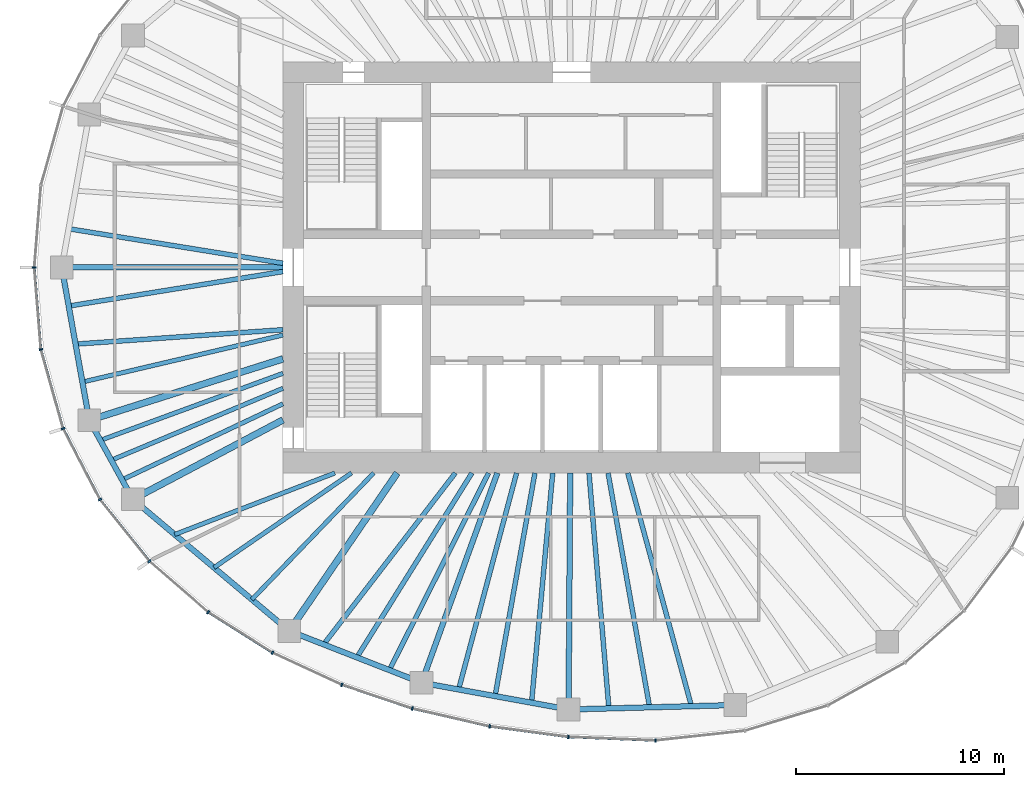
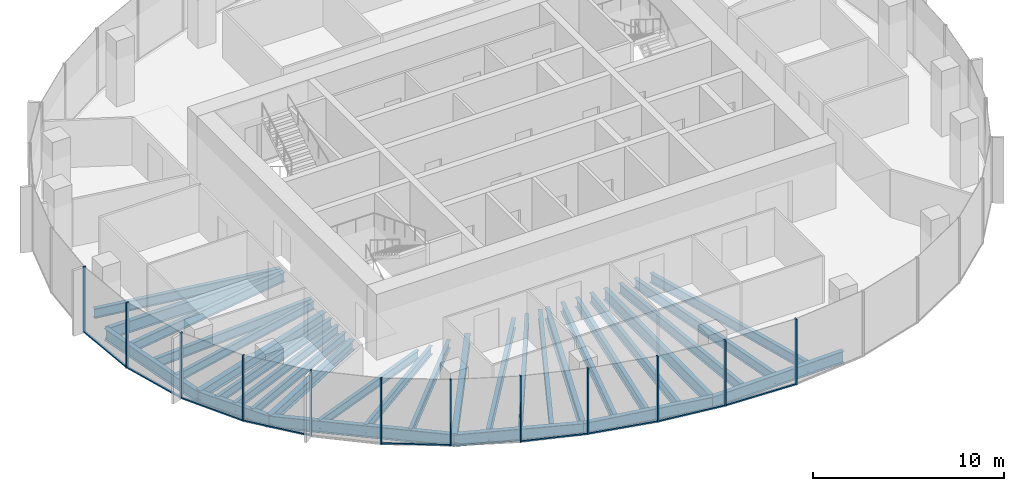
# One storey, part 2 of 11: 31 beams, 21 members, 6 elements without a shape of their own.
"""IFC4 building model written with IfcOpenShell, lengths in metres."""

import ifcopenshell
import ifcopenshell.guid

model = None  # the IFC model being written
_history = None  # IfcOwnerHistory: only IFC2X3 demands one
_inside = {}  # id of a spatial element -> (the spatial element, [elements in it])
_under = {}  # id of a project, library or spatial element -> (it, [spatial elements below it])
_declared = {}  # id of a project -> (the project, [libraries it declares])
_typed = {}  # id of a type object -> (the type object, [elements of that type])
_made_of = {}  # id of a material, layer set ... -> (it, [elements and type objects made of it])


def new_model(schema):
    """Start an empty IFC model of exactly this schema.

    Asked for "IFC4X3", IfcOpenShell would pick the latest addendum, in which some entities
    have other attributes; the version numbers below select the first issue.
    IFC2X3 requires an IfcOwnerHistory on every rooted entity: one is made here for all.
    """
    global model, _history
    if schema == "IFC4X3":
        model = ifcopenshell.file(schema_version=(4, 3, 0, 0))
    else:
        model = ifcopenshell.file(schema=schema)
    _inside.clear()
    _under.clear()
    _declared.clear()
    _typed.clear()
    _made_of.clear()
    _history = None
    if model.schema == "IFC2X3":
        org = make("IfcOrganization", Name="unknown")
        user = make(
            "IfcPersonAndOrganization",
            ThePerson=make("IfcPerson", FamilyName="unknown"),
            TheOrganization=org,
        )
        app = make(
            "IfcApplication",
            ApplicationDeveloper=org,
            Version="unknown",
            ApplicationFullName="unknown",
            ApplicationIdentifier="unknown",
        )
        _history = make(
            "IfcOwnerHistory",
            OwningUser=user,
            OwningApplication=app,
            ChangeAction="ADDED",
            CreationDate=0,
        )
    return model


def make(cls, **values):
    """One entity of the class cls with the attributes given. An attribute that is None is left unset."""
    return model.create_entity(
        cls, **{name: value for name, value in values.items() if value is not None}
    )


def rooted(cls, **values):
    """An entity with a GlobalId (a new one), such as an element, a storey or a relation."""
    return make(cls, GlobalId=ifcopenshell.guid.new(), OwnerHistory=_history, **values)


def si_unit(unit_type, name, prefix=None):
    """IfcSIUnit, for example si_unit("LENGTHUNIT", "METRE", prefix="MILLI")."""
    return make("IfcSIUnit", UnitType=unit_type, Prefix=prefix, Name=name)


def assignment(units):
    """IfcUnitAssignment: the units of a project."""
    return None if units is None else make("IfcUnitAssignment", Units=units)


def point(xyz):
    """IfcCartesianPoint."""
    return None if xyz is None else make("IfcCartesianPoint", Coordinates=xyz)


def direction(xyz):
    """IfcDirection."""
    return None if xyz is None else make("IfcDirection", DirectionRatios=xyz)


def frame(location, z_axis=None, x_axis=None):
    """IfcAxis2Placement3D, a coordinate frame: its origin and axes. An axis left out is left unset."""
    return make(
        "IfcAxis2Placement3D",
        Location=point(location),
        Axis=direction(z_axis),
        RefDirection=direction(x_axis),
    )


def frame_2d(location, x_axis=None):
    """IfcAxis2Placement2D, a coordinate frame in the plane: its origin and x axis."""
    return make(
        "IfcAxis2Placement2D", Location=point(location), RefDirection=direction(x_axis)
    )


def origin():
    """The frame at (0, 0, 0) with its axes left unset."""
    return frame((0.0, 0.0, 0.0))


def origin_2d():
    """The frame at (0, 0) in the plane with its x axis left unset."""
    return frame_2d((0.0, 0.0))


def place(relative_to, where):
    """IfcLocalPlacement: puts the frame where relative to a parent placement (None: the world)."""
    return make(
        "IfcLocalPlacement", PlacementRelTo=relative_to, RelativePlacement=where
    )


def context(
    kind, dimensions, precision=None, world=None, true_north=None, identifier=None
):
    """IfcGeometricRepresentationContext, for example the 3D "Model" context."""
    return make(
        "IfcGeometricRepresentationContext",
        ContextIdentifier=identifier,
        ContextType=kind,
        CoordinateSpaceDimension=dimensions,
        Precision=precision,
        WorldCoordinateSystem=world,
        TrueNorth=true_north,
    )


def subcontext(parent, identifier, kind, view, scale=None):
    """IfcGeometricRepresentationSubContext, for example "Body" below "Model"."""
    return make(
        "IfcGeometricRepresentationSubContext",
        ContextIdentifier=identifier,
        ContextType=kind,
        ParentContext=parent,
        TargetScale=scale,
        TargetView=view,
    )


def project(units=None, contexts=None):
    """IfcProject with its units and contexts."""
    return rooted(
        "IfcProject",
        Name="project",
        RepresentationContexts=contexts,
        UnitsInContext=assignment(units),
    )


def spatial(cls, under=None, at=None, **own):
    """A site, building, storey or space (cls), placed at a placement, below another one or the project."""
    s = rooted(cls, ObjectPlacement=at, **own)
    if under is not None:
        _under.setdefault(under.id(), (under, []))[1].append(s)
    return s


def profile(cls, at=None, kind="AREA", **sizes):
    """A parametric profile (cls). Its sizes go by their IFC names, for example OverallWidth=200.0."""
    return make(cls, ProfileType=kind, Position=at, **sizes)


def rectangle(**sizes):
    """IfcRectangleProfileDef."""
    return profile("IfcRectangleProfileDef", **sizes)


def i_section(**sizes):
    """IfcIShapeProfileDef."""
    return profile("IfcIShapeProfileDef", **sizes)


def extrude(swept, where, along, depth):
    """IfcExtrudedAreaSolid: the profile swept, set in the frame where, extruded along a direction by depth."""
    return make(
        "IfcExtrudedAreaSolid",
        SweptArea=swept,
        Position=where,
        ExtrudedDirection=direction(along),
        Depth=depth,
    )


def shape(context_of_items, identifier, shape_type, items):
    """IfcShapeRepresentation: the items that make up one representation, for example the "Body"."""
    return make(
        "IfcShapeRepresentation",
        ContextOfItems=context_of_items,
        RepresentationIdentifier=identifier,
        RepresentationType=shape_type,
        Items=items,
    )


def material(Name=None, Category=None):
    """IfcMaterial."""
    return make("IfcMaterial", Name=Name, Category=Category)


def material_profile(
    of_material, cross_section, Name=None, Category=None, Priority=None
):
    """IfcMaterialProfile: a cross section and its material."""
    return make(
        "IfcMaterialProfile",
        Name=Name,
        Material=of_material,
        Profile=cross_section,
        Priority=Priority,
        Category=Category,
    )


def profile_set(profiles, Name=None, composite=None):
    """IfcMaterialProfileSet."""
    return make(
        "IfcMaterialProfileSet",
        Name=Name,
        MaterialProfiles=profiles,
        CompositeProfile=composite,
    )


def made_of(thing, what):
    """Note that an element or type object is made of a material, layer set ...; save() writes the relation."""
    if what is not None:
        _made_of.setdefault(what.id(), (what, []))[1].append(thing)
    return thing


def type_object(cls, material=None, **own):
    """A type object (cls), such as IfcWallType, which elements share."""
    return made_of(rooted(cls, **own), material)


def element(
    cls,
    number,
    at=None,
    inside=None,
    cuts=None,
    type_object=None,
    material=None,
    context=None,
    identifier="Body",
    shape_type=None,
    held_by="IfcProductDefinitionShape",
    body=None,
    shapes=None,
    **own,
):
    """One element of the class cls, such as IfcWall. Its Tag is "e" and its number.

    at: its placement. inside: the storey or other place that contains it. cuts: it is an
    opening in that element (IfcRelVoidsElement). A single representation is given by context,
    identifier, shape_type and body (its items); several are given by shapes. held_by: the class
    of the entity that holds the representations. save() writes the other relations.
    """
    e = rooted(cls, Tag="e%d" % number, ObjectPlacement=at, **own)
    if body is not None:
        shapes = [shape(context, identifier, shape_type, body)]
    if shapes is not None:
        e.Representation = make(held_by, Representations=shapes)
    if inside is not None:
        _inside.setdefault(inside.id(), (inside, []))[1].append(e)
    if cuts is not None:
        rooted(
            "IfcRelVoidsElement", RelatingBuildingElement=cuts, RelatedOpeningElement=e
        )
    if type_object is not None:
        _typed.setdefault(type_object.id(), (type_object, []))[1].append(e)
    return made_of(e, material)


def aggregate(whole, parts):
    """IfcRelAggregates: a whole, such as a stair, and the parts it consists of."""
    return rooted("IfcRelAggregates", RelatingObject=whole, RelatedObjects=parts)


def save(model, path):
    """Write the relations noted so far, then the file.

    IfcRelAggregates (storeys below a building ...), IfcRelContainedInSpatialStructure (elements
    in a storey), IfcRelDefinesByType, IfcRelAssociatesMaterial and IfcRelDeclares: one each for
    every whole, place, type object, material and project.
    """
    for whole, parts in _under.values():
        aggregate(whole, parts)
    for where, things in _inside.values():
        rooted(
            "IfcRelContainedInSpatialStructure",
            RelatedElements=things,
            RelatingStructure=where,
        )
    for kind, things in _typed.values():
        rooted("IfcRelDefinesByType", RelatedObjects=things, RelatingType=kind)
    for what, things in _made_of.values():
        rooted("IfcRelAssociatesMaterial", RelatedObjects=things, RelatingMaterial=what)
    for by, libraries in _declared.values():
        rooted("IfcRelDeclares", RelatingContext=by, RelatedDefinitions=libraries)
    model.write(path)


model = new_model("IFC4")

# Units and contexts
model_context = context("Model", 3, precision=1e-05, world=origin(), true_north=direction((0.0, 1.0)))
body_context = subcontext(model_context, "Body", "Model", "MODEL_VIEW")
ifc_project = project(units=[si_unit("LENGTHUNIT", "METRE"), si_unit("AREAUNIT", "SQUARE_METRE"), si_unit("VOLUMEUNIT", "CUBIC_METRE"), si_unit("PLANEANGLEUNIT", "RADIAN"), si_unit("MASSUNIT", "GRAM", prefix="KILO")], contexts=[model_context])

# Site, building, storey
site_placement = place(None, origin())
site = spatial("IfcSite", under=ifc_project, at=site_placement, CompositionType="ELEMENT")
building_placement = place(site_placement, origin())
building = spatial("IfcBuilding", under=site, at=building_placement, Name="Ghaith Harvest Tower", CompositionType="ELEMENT")
storey_placement = place(building_placement, frame((0.0, 0.0, 292.199951171875)))
storey = spatial("IfcBuildingStorey", under=building, at=storey_placement, Name="L65", CompositionType="ELEMENT", Elevation=292.199951171875)

# Curtain wall, members
ifc_material_1 = material(Name="Black anodised aluminium and fritted glass", Category="aluminium")
curtain_wall_type = type_object("IfcCurtainWallType", Name="CW-T CURTAIN WALL", PredefinedType="NOTDEFINED", material=ifc_material_1)
curtain_wall_1_placement = place(storey_placement, origin())
curtain_wall_1 = element("IfcCurtainWall", 1, at=curtain_wall_1_placement, inside=storey, type_object=curtain_wall_type, Name="Curtain wall CW-T bay 11 L65", PredefinedType="NOTDEFINED")
ifc_material_2 = material(Name="Aluminium, black anodised", Category="aluminium")
ifc_material_profile_1 = material_profile(ifc_material_2, rectangle(XDim=0.080078125, YDim=0.179931640625, at=origin_2d()), Name="CW-T MULLION 80x180")
ifc_profile_set_1 = profile_set([ifc_material_profile_1], Name="Aluminium, black anodised")
member_type_1 = type_object("IfcMemberType", Name="CW-T MULLION 80x180", PredefinedType="MULLION", material=ifc_profile_set_1)
member_1_placement = place(storey_placement, frame((-25.8701171875, 0.0, 0.0), z_axis=(0.0, 0.0, 1.0), x_axis=(-1.05e-10, -1.0, 0.0)))
member_1 = element("IfcMember", 2, at=member_1_placement, type_object=member_type_1, Name="CW-T mullion 1 bay 11 L65", PredefinedType="MULLION", context=body_context, shape_type="SweptSolid", body=[
    extrude(rectangle(XDim=0.080078125, YDim=0.179931640625, at=origin_2d()), origin(), (0.0, 0.0, 1.0), 4.199951171875),
])
member_2_placement = place(storey_placement, frame((-25.5517578125, -3.9521484375, 0.0), z_axis=(0.0, 0.0, 1.0), x_axis=(0.176001391003, -0.98438991785, 0.0)))
member_2 = element("IfcMember", 3, at=member_2_placement, type_object=member_type_1, Name="CW-T mullion 2 bay 11 L65", PredefinedType="MULLION", context=body_context, shape_type="SweptSolid", body=[
    extrude(rectangle(XDim=0.080078125, YDim=0.179931640625, at=origin_2d()), origin(), (0.0, 0.0, 1.0), 4.199951171875),
])

curtain_wall_2_placement = place(storey_placement, origin())
curtain_wall_2 = element("IfcCurtainWall", 4, at=curtain_wall_2_placement, inside=storey, type_object=curtain_wall_type, Name="Curtain wall CW-T bay 12 L65", PredefinedType="NOTDEFINED")
member_3_placement = place(storey_placement, frame((-24.482666015625, -7.759033203125, 0.0), z_axis=(0.0, 0.0, 1.0), x_axis=(0.366473104734, -0.930428645038, 0.0)))
member_3 = element("IfcMember", 5, at=member_3_placement, type_object=member_type_1, Name="CW-T mullion 1 bay 12 L65", PredefinedType="MULLION", context=body_context, shape_type="SweptSolid", body=[
    extrude(rectangle(XDim=0.080078125, YDim=0.179931640625, at=origin_2d()), origin(), (0.0, 0.0, 1.0), 4.199951171875),
])
member_4_placement = place(storey_placement, frame((-22.706298828125, -11.176513671875, 0.0), z_axis=(0.0, 0.0, 1.0), x_axis=(0.545865412431, -0.837872873121, 0.0)))
member_4 = element("IfcMember", 6, at=member_4_placement, type_object=member_type_1, Name="CW-T mullion 2 bay 12 L65", PredefinedType="MULLION", context=body_context, shape_type="SweptSolid", body=[
    extrude(rectangle(XDim=0.080078125, YDim=0.179931640625, at=origin_2d()), origin(), (0.0, 0.0, 1.0), 4.199951171875),
])

curtain_wall_3_placement = place(storey_placement, origin())
curtain_wall_3 = element("IfcCurtainWall", 7, at=curtain_wall_3_placement, inside=storey, type_object=curtain_wall_type, Name="Curtain wall CW-T bay 13 L65", PredefinedType="NOTDEFINED")
member_5_placement = place(storey_placement, frame((-20.324462890625, -14.141845703125, 0.0), z_axis=(0.0, 0.0, 1.0), x_axis=(0.692826491831, -0.721104328248, 0.0)))
member_5 = element("IfcMember", 8, at=member_5_placement, type_object=member_type_1, Name="CW-T mullion 1 bay 13 L65", PredefinedType="MULLION", context=body_context, shape_type="SweptSolid", body=[
    extrude(rectangle(XDim=0.080078125, YDim=0.179931640625, at=origin_2d()), origin(), (0.0, 0.0, 1.0), 4.199951171875),
])
member_6_placement = place(storey_placement, frame((-17.49462890625, -16.600830078125, 0.0), z_axis=(0.0, 0.0, 1.0), x_axis=(0.802189888845, -0.59706899286, 0.0)))
member_6 = element("IfcMember", 9, at=member_6_placement, type_object=member_type_1, Name="CW-T mullion 2 bay 13 L65", PredefinedType="MULLION", context=body_context, shape_type="SweptSolid", body=[
    extrude(rectangle(XDim=0.080078125, YDim=0.179931640625, at=origin_2d()), origin(), (0.0, 0.0, 1.0), 4.199951171875),
])

curtain_wall_4_placement = place(storey_placement, origin())
curtain_wall_4 = element("IfcCurtainWall", 10, at=curtain_wall_4_placement, inside=storey, type_object=curtain_wall_type, Name="Curtain wall CW-T bay 14 L65", PredefinedType="NOTDEFINED")
member_7_placement = place(storey_placement, frame((-14.40478515625, -18.5478515625, 0.0), z_axis=(0.0, 0.0, 1.0), x_axis=(0.878671732732, -0.477426419564, 0.0)))
member_7 = element("IfcMember", 11, at=member_7_placement, type_object=member_type_1, Name="CW-T mullion 1 bay 14 L65", PredefinedType="MULLION", context=body_context, shape_type="SweptSolid", body=[
    extrude(rectangle(XDim=0.080078125, YDim=0.179931640625, at=origin_2d()), origin(), (0.0, 0.0, 1.0), 4.199951171875),
])
member_8_placement = place(storey_placement, frame((-11.0673828125, -20.093017578125, 0.0), z_axis=(0.0, 0.0, 1.0), x_axis=(0.92862442092, -0.371021138038, 0.0)))
member_8 = element("IfcMember", 12, at=member_8_placement, type_object=member_type_1, Name="CW-T mullion 2 bay 14 L65", PredefinedType="MULLION", context=body_context, shape_type="SweptSolid", body=[
    extrude(rectangle(XDim=0.080078125, YDim=0.179931640625, at=origin_2d()), origin(), (0.0, 0.0, 1.0), 4.199951171875),
])

curtain_wall_5_placement = place(storey_placement, origin())
curtain_wall_5 = element("IfcCurtainWall", 13, at=curtain_wall_5_placement, inside=storey, type_object=curtain_wall_type, Name="Curtain wall CW-T bay 15 L65", PredefinedType="NOTDEFINED")
member_9_placement = place(storey_placement, frame((-7.6708984375, -21.23828125, 0.0), z_axis=(0.0, 0.0, 1.0), x_axis=(0.962552491659, -0.271095372151, 0.0)))
member_9 = element("IfcMember", 14, at=member_9_placement, type_object=member_type_1, Name="CW-T mullion 1 bay 15 L65", PredefinedType="MULLION", context=body_context, shape_type="SweptSolid", body=[
    extrude(rectangle(XDim=0.080078125, YDim=0.179931640625, at=origin_2d()), origin(), (0.0, 0.0, 1.0), 4.199951171875),
])
member_10_placement = place(storey_placement, frame((-3.946533203125, -22.0986328125, 0.0), z_axis=(0.0, 0.0, 1.0), x_axis=(0.983843447712, -0.179030920217, 0.0)))
member_10 = element("IfcMember", 15, at=member_10_placement, type_object=member_type_1, Name="CW-T mullion 2 bay 15 L65", PredefinedType="MULLION", context=body_context, shape_type="SweptSolid", body=[
    extrude(rectangle(XDim=0.080078125, YDim=0.179931640625, at=origin_2d()), origin(), (0.0, 0.0, 1.0), 4.199951171875),
])

curtain_wall_6_placement = place(storey_placement, origin())
curtain_wall_6 = element("IfcCurtainWall", 16, at=curtain_wall_6_placement, inside=storey, type_object=curtain_wall_type, Name="Curtain wall CW-T bay 16 L65", PredefinedType="NOTDEFINED")
member_11_placement = place(storey_placement, frame((-0.15478515625, -22.60595703125, 0.0), z_axis=(0.0, 0.0, 1.0), x_axis=(0.996414855524, -0.084601629366, 0.0)))
member_11 = element("IfcMember", 17, at=member_11_placement, type_object=member_type_1, Name="CW-T mullion 1 bay 16 L65", PredefinedType="MULLION", context=body_context, shape_type="SweptSolid", body=[
    extrude(rectangle(XDim=0.080078125, YDim=0.179931640625, at=origin_2d()), origin(), (0.0, 0.0, 1.0), 4.199951171875),
])
member_12_placement = place(storey_placement, frame((4.037841796875, -22.776611328125, 0.0), z_axis=(0.0, 0.0, 1.0), x_axis=(0.999388631241, 0.034962318939, 0.0)))
member_12 = element("IfcMember", 18, at=member_12_placement, type_object=member_type_1, Name="CW-T mullion 2 bay 16 L65", PredefinedType="MULLION", context=body_context, shape_type="SweptSolid", body=[
    extrude(rectangle(XDim=0.080078125, YDim=0.179931640625, at=origin_2d()), origin(), (0.0, 0.0, 1.0), 4.199951171875),
])

# Member
ifc_material_3 = material(Name="Aluminium, black anodised", Category="aluminium")
ifc_material_profile_2 = material_profile(ifc_material_3, rectangle(XDim=0.1201171875, YDim=0.080078125, at=origin_2d()), Name="CW-T TRANSOM 120x80")
ifc_profile_set_2 = profile_set([ifc_material_profile_2], Name="Aluminium, black anodised")
member_type_2 = type_object("IfcMemberType", Name="CW-T TRANSOM 120x80", PredefinedType="USERDEFINED", material=ifc_profile_set_2)
member_13_placement = place(storey_placement, frame((-25.86669921875, -0.039794921875, 0.0400390625), z_axis=(0.08025226314, -0.996774585481, 0.0), x_axis=(0.996774585481, 0.08025226314, 0.0)))
member_13 = element("IfcMember", 19, at=member_13_placement, type_object=member_type_2, Name="CW-T transom 1 bay 11 L65", ObjectType="TRANSOM", PredefinedType="USERDEFINED", context=body_context, shape_type="SweptSolid", body=[
    extrude(rectangle(XDim=0.1201171875, YDim=0.080078125, at=origin_2d()), origin(), (0.0, 0.0, 1.0), 3.884765625),
])

member_14_placement = place(storey_placement, frame((-25.541015625, -3.990478515625, 0.0400390625), z_axis=(0.270340422972, -0.962764797709, 0.0), x_axis=(0.962764797709, 0.270340422972, 0.0)))
member_14 = element("IfcMember", 20, at=member_14_placement, type_object=member_type_2, Name="CW-T transom 2 bay 11 L65", ObjectType="TRANSOM", PredefinedType="USERDEFINED", context=body_context, shape_type="SweptSolid", body=[
    extrude(rectangle(XDim=0.1201171875, YDim=0.080078125, at=origin_2d()), origin(), (0.0, 0.0, 1.0), 3.874267578125),
])

aggregate(curtain_wall_1, [member_1, member_13, member_2, member_14])

member_15_placement = place(storey_placement, frame((-24.46435546875, -7.79443359375, 0.0400390625), z_axis=(0.461242681347, -0.887274021317, 0.0), x_axis=(0.887274021317, 0.461242681347, 0.0)))
member_15 = element("IfcMember", 21, at=member_15_placement, type_object=member_type_2, Name="CW-T transom 1 bay 12 L65", ObjectType="TRANSOM", PredefinedType="USERDEFINED", context=body_context, shape_type="SweptSolid", body=[
    extrude(rectangle(XDim=0.1201171875, YDim=0.080078125, at=origin_2d()), origin(), (0.0, 0.0, 1.0), 3.77197265625),
])

member_16_placement = place(storey_placement, frame((-22.68115234375, -11.207763671875, 0.0400390625), z_axis=(0.626253073761, -0.779619835307, 0.0), x_axis=(0.779619835307, 0.626253073761, 0.0)))
member_16 = element("IfcMember", 22, at=member_16_placement, type_object=member_type_2, Name="CW-T transom 2 bay 12 L65", ObjectType="TRANSOM", PredefinedType="USERDEFINED", context=body_context, shape_type="SweptSolid", body=[
    extrude(rectangle(XDim=0.1201171875, YDim=0.080078125, at=origin_2d()), origin(), (0.0, 0.0, 1.0), 3.723388671875),
])

aggregate(curtain_wall_2, [member_3, member_15, member_4, member_16])

member_17_placement = place(storey_placement, frame((-17.4609375, -16.6220703125, 0.0400390625), z_axis=(0.846053602505, -0.533097835006, 0.0), x_axis=(0.533097835006, 0.846053602505, 0.0)))
member_17 = element("IfcMember", 23, at=member_17_placement, type_object=member_type_2, Name="CW-T transom 2 bay 13 L65", ObjectType="TRANSOM", PredefinedType="USERDEFINED", context=body_context, shape_type="SweptSolid", body=[
    extrude(rectangle(XDim=0.1201171875, YDim=0.080078125, at=origin_2d()), origin(), (0.0, 0.0, 1.0), 3.572021484375),
])

aggregate(curtain_wall_3, [member_5, member_6, member_17])

member_18_placement = place(storey_placement, frame((-11.029541015625, -20.105712890625, 0.0400390625), z_axis=(0.9475698206, -0.319548799228, 0.0), x_axis=(0.319548799228, 0.9475698206, 0.0)))
member_18 = element("IfcMember", 24, at=member_18_placement, type_object=member_type_2, Name="CW-T transom 2 bay 14 L65", ObjectType="TRANSOM", PredefinedType="USERDEFINED", context=body_context, shape_type="SweptSolid", body=[
    extrude(rectangle(XDim=0.1201171875, YDim=0.080078125, at=origin_2d()), origin(), (0.0, 0.0, 1.0), 3.504638671875),
])

aggregate(curtain_wall_4, [member_7, member_8, member_18])

member_19_placement = place(storey_placement, frame((-7.6318359375, -21.247314453125, 0.0400390625), z_axis=(0.974344997799, -0.225059603803, 0.0), x_axis=(0.225059603803, 0.974344997799, 0.0)))
member_19 = element("IfcMember", 25, at=member_19_placement, type_object=member_type_2, Name="CW-T transom 1 bay 15 L65", ObjectType="TRANSOM", PredefinedType="USERDEFINED", context=body_context, shape_type="SweptSolid", body=[
    extrude(rectangle(XDim=0.1201171875, YDim=0.080078125, at=origin_2d()), origin(), (0.0, 0.0, 1.0), 3.742431640625),
])

member_20_placement = place(storey_placement, frame((-3.90673828125, -22.10400390625, 0.0400390625), z_axis=(0.99117202259, -0.132582131655, 0.0), x_axis=(0.132582131655, 0.99117202259, 0.0)))
member_20 = element("IfcMember", 26, at=member_20_placement, type_object=member_type_2, Name="CW-T transom 2 bay 15 L65", ObjectType="TRANSOM", PredefinedType="USERDEFINED", context=body_context, shape_type="SweptSolid", body=[
    extrude(rectangle(XDim=0.1201171875, YDim=0.080078125, at=origin_2d()), origin(), (0.0, 0.0, 1.0), 3.745361328125),
])

aggregate(curtain_wall_5, [member_9, member_19, member_10, member_20])

member_21_placement = place(storey_placement, frame((-0.11474609375, -22.607666015625, 0.0400390625), z_axis=(0.999174207562, -0.040631304968, 0.0), x_axis=(0.040631304968, 0.999174207562, 0.0)))
member_21 = element("IfcMember", 27, at=member_21_placement, type_object=member_type_2, Name="CW-T transom 1 bay 16 L65", ObjectType="TRANSOM", PredefinedType="USERDEFINED", context=body_context, shape_type="SweptSolid", body=[
    extrude(rectangle(XDim=0.1201171875, YDim=0.080078125, at=origin_2d()), origin(), (0.0, 0.0, 1.0), 4.115966796875),
])

aggregate(curtain_wall_6, [member_11, member_21, member_12])

# Beams
ifc_material_4 = material(Name="Steel ASTM A992 Grade 50", Category="steel")
ifc_material_profile_3 = material_profile(ifc_material_4, i_section(OverallWidth=0.26611328125, OverallDepth=0.758056640625, WebThickness=0.013916015625, FlangeThickness=0.019287109375, at=origin_2d()), Name="W760X161")
ifc_profile_set_3 = profile_set([ifc_material_profile_3], Name="Steel ASTM A992 Grade 50")
beam_type_1 = type_object("IfcBeamType", Name="E760-161 W760X161", PredefinedType="SPANDREL", material=ifc_profile_set_3)
beam_1_placement = place(storey_placement, frame((-24.550048828125, 0.0, -0.549072265625), z_axis=(0.177296554745, -0.984157473007, 0.0), x_axis=(0.984157473007, 0.177296554745, 0.0)))
element("IfcBeam", 28, at=beam_1_placement, inside=storey, type_object=beam_type_1, Name="Edge beam E11 L65", PredefinedType="SPANDREL", context=body_context, shape_type="SweptSolid", body=[
    extrude(i_section(OverallWidth=0.26611328125, OverallDepth=0.758056640625, WebThickness=0.013916015625, FlangeThickness=0.019287109375, at=origin_2d()), origin(), (0.0, 0.0, 1.0), 7.478515625),
])
beam_2_placement = place(storey_placement, frame((-23.22412109375, -7.360107421875, -0.549072265625), z_axis=(0.482955575345, -0.875644855089, 0.0), x_axis=(0.875644855089, 0.482955575345, 0.0)))
element("IfcBeam", 29, at=beam_2_placement, inside=storey, type_object=beam_type_1, Name="Edge beam E12 L65", PredefinedType="SPANDREL", context=body_context, shape_type="SweptSolid", body=[
    extrude(i_section(OverallWidth=0.26611328125, OverallDepth=0.758056640625, WebThickness=0.013916015625, FlangeThickness=0.019287109375, at=origin_2d()), origin(), (0.0, 0.0, 1.0), 4.346435546875),
])
beam_3_placement = place(storey_placement, frame((-21.125, -11.166015625, -0.549072265625), z_axis=(0.765021818761, -0.64400436087, 0.0), x_axis=(0.64400436087, 0.765021818761, 0.0)))
element("IfcBeam", 30, at=beam_3_placement, inside=storey, type_object=beam_type_1, Name="Edge beam E13 L65", PredefinedType="SPANDREL", context=body_context, shape_type="SweptSolid", body=[
    extrude(i_section(OverallWidth=0.26611328125, OverallDepth=0.758056640625, WebThickness=0.013916015625, FlangeThickness=0.019287109375, at=origin_2d()), origin(), (0.0, 0.0, 1.0), 9.8427734375),
])
beam_4_placement = place(storey_placement, frame((-13.594970703125, -17.5048828125, -0.549072265625), z_axis=(0.931322768207, -0.364194867371, 0.0), x_axis=(0.364194867371, 0.931322768207, 0.0)))
element("IfcBeam", 31, at=beam_4_placement, inside=storey, type_object=beam_type_1, Name="Edge beam E14 L65", PredefinedType="SPANDREL", context=body_context, shape_type="SweptSolid", body=[
    extrude(i_section(OverallWidth=0.26611328125, OverallDepth=0.758056640625, WebThickness=0.013916015625, FlangeThickness=0.019287109375, at=origin_2d()), origin(), (0.0, 0.0, 1.0), 6.843017578125),
])
beam_5_placement = place(storey_placement, frame((-7.221923828125, -19.9970703125, -0.549072265625), z_axis=(0.983813921429, -0.179193102551, 0.0), x_axis=(0.179193102551, 0.983813921429, 0.0)))
element("IfcBeam", 32, at=beam_5_placement, inside=storey, type_object=beam_type_1, Name="Edge beam E15 L65", PredefinedType="SPANDREL", context=body_context, shape_type="SweptSolid", body=[
    extrude(i_section(OverallWidth=0.26611328125, OverallDepth=0.758056640625, WebThickness=0.013916015625, FlangeThickness=0.019287109375, at=origin_2d()), origin(), (0.0, 0.0, 1.0), 7.1923828125),
])
beam_6_placement = place(storey_placement, frame((-0.14599609375, -21.285888671875, -0.549072265625), z_axis=(0.999644979696, 0.02664422206, 0.0), x_axis=(-0.02664422206, 0.999644979696, 0.0)))
element("IfcBeam", 33, at=beam_6_placement, inside=storey, type_object=beam_type_1, Name="Edge beam E16 L65", PredefinedType="SPANDREL", context=body_context, shape_type="SweptSolid", body=[
    extrude(i_section(OverallWidth=0.26611328125, OverallDepth=0.758056640625, WebThickness=0.013916015625, FlangeThickness=0.019287109375, at=origin_2d()), origin(), (0.0, 0.0, 1.0), 8.02685546875),
])
ifc_material_5 = material(Name="Steel ASTM A992 Grade 50", Category="steel")
ifc_material_profile_4 = material_profile(ifc_material_5, i_section(OverallWidth=0.323974609375, OverallDepth=0.611083984375, WebThickness=0.0126953125, FlangeThickness=0.01904296875, at=origin_2d()), Name="W610X155")
ifc_profile_set_4 = profile_set([ifc_material_profile_4], Name="Steel ASTM A992 Grade 50")
beam_type_2 = type_object("IfcBeamType", Name="G610-155 W610X155", PredefinedType="BEAM", material=ifc_profile_set_4)
beam_7_placement = place(storey_placement, frame((-13.89990234375, -4.4052734375, -0.475341796875), z_axis=(-0.953278508772, -0.302092841215, 0.0), x_axis=(0.302092841215, -0.953278508772, 0.0)))
element("IfcBeam", 34, at=beam_7_placement, inside=storey, type_object=beam_type_2, Name="Radial girder G12 L65", PredefinedType="BEAM", context=body_context, shape_type="SweptSolid", body=[
    extrude(i_section(OverallWidth=0.323974609375, OverallDepth=0.611083984375, WebThickness=0.0126953125, FlangeThickness=0.01904296875, at=origin_2d()), origin(), (0.0, 0.0, 1.0), 9.78125),
])
beam_8_placement = place(storey_placement, frame((-13.89990234375, -7.34716796875, -0.475341796875), z_axis=(-0.88410164037, -0.467294649546, 0.0), x_axis=(0.467294649546, -0.88410164037, 0.0)))
element("IfcBeam", 35, at=beam_8_placement, inside=storey, type_object=beam_type_2, Name="Radial girder G13 L65", PredefinedType="BEAM", context=body_context, shape_type="SweptSolid", body=[
    extrude(i_section(OverallWidth=0.323974609375, OverallDepth=0.611083984375, WebThickness=0.0126953125, FlangeThickness=0.01904296875, at=origin_2d()), origin(), (0.0, 0.0, 1.0), 8.17236328125),
])
beam_9_placement = place(storey_placement, frame((-8.39990234375, -9.89990234375, -0.475341796875), z_axis=(-0.564067018201, -0.825729010619, 0.0), x_axis=(0.825729010619, -0.564067018201, 0.0)))
element("IfcBeam", 36, at=beam_9_placement, inside=storey, type_object=beam_type_2, Name="Radial girder G14 L65", PredefinedType="BEAM", context=body_context, shape_type="SweptSolid", body=[
    extrude(i_section(OverallWidth=0.323974609375, OverallDepth=0.611083984375, WebThickness=0.0126953125, FlangeThickness=0.01904296875, at=origin_2d()), origin(), (0.0, 0.0, 1.0), 9.2099609375),
])
ifc_material_6 = material(Name="Steel ASTM A992 Grade 50", Category="steel")
ifc_material_profile_5 = material_profile(ifc_material_6, i_section(OverallWidth=0.26611328125, OverallDepth=0.758056640625, WebThickness=0.013916015625, FlangeThickness=0.019287109375, at=origin_2d()), Name="W760X161")
ifc_profile_set_5 = profile_set([ifc_material_profile_5], Name="Steel ASTM A992 Grade 50")
beam_type_3 = type_object("IfcBeamType", Name="G760-161 W760X161", PredefinedType="BEAM", material=ifc_profile_set_5)
beam_10_placement = place(storey_placement, frame((-13.89990234375, 0.0, -0.549072265625), z_axis=(-1.0, 0.0, 0.0), x_axis=(0.0, -1.0, 0.0)))
element("IfcBeam", 37, at=beam_10_placement, inside=storey, type_object=beam_type_3, Name="Radial girder G11 L65", PredefinedType="BEAM", context=body_context, shape_type="SweptSolid", body=[
    extrude(i_section(OverallWidth=0.26611328125, OverallDepth=0.758056640625, WebThickness=0.013916015625, FlangeThickness=0.019287109375, at=origin_2d()), origin(), (0.0, 0.0, 1.0), 10.650146484375),
])
beam_11_placement = place(storey_placement, frame((-3.57568359375, -9.89990234375, -0.549072265625), z_axis=(-0.339647816823, -0.940552688863, 0.0), x_axis=(0.940552688863, -0.339647816823, 0.0)))
element("IfcBeam", 38, at=beam_11_placement, inside=storey, type_object=beam_type_3, Name="Radial girder G15 L65", PredefinedType="BEAM", context=body_context, shape_type="SweptSolid", body=[
    extrude(i_section(OverallWidth=0.26611328125, OverallDepth=0.758056640625, WebThickness=0.013916015625, FlangeThickness=0.019287109375, at=origin_2d()), origin(), (0.0, 0.0, 1.0), 10.7353515625),
])
beam_12_placement = place(storey_placement, frame((-0.06787109375, -9.89990234375, -0.549072265625), z_axis=(-0.006861343299, -0.999976460707, 0.0), x_axis=(0.999976460707, -0.006861343299, 0.0)))
element("IfcBeam", 39, at=beam_12_placement, inside=storey, type_object=beam_type_3, Name="Radial girder G16 L65", PredefinedType="BEAM", context=body_context, shape_type="SweptSolid", body=[
    extrude(i_section(OverallWidth=0.26611328125, OverallDepth=0.758056640625, WebThickness=0.013916015625, FlangeThickness=0.019287109375, at=origin_2d()), origin(), (0.0, 0.0, 1.0), 11.38623046875),
])
ifc_material_7 = material(Name="Steel ASTM A992 Grade 50", Category="steel")
ifc_material_profile_6 = material_profile(ifc_material_7, i_section(OverallWidth=0.2109375, OverallDepth=0.5390625, WebThickness=0.01171875, FlangeThickness=0.018798828125, at=origin_2d()), Name="W530X109")
ifc_profile_set_6 = profile_set([ifc_material_profile_6], Name="Steel ASTM A992 Grade 50")
beam_type_4 = type_object("IfcBeamType", Name="J530-109 W530X109", PredefinedType="JOIST", material=ifc_profile_set_6)
beam_13_placement = place(storey_placement, frame((-13.89990234375, -3.257080078125, -0.439453125), z_axis=(-0.973623403271, -0.228161058472, 0.0), x_axis=(0.228161058472, -0.973623403271, 0.0)))
element("IfcBeam", 40, at=beam_13_placement, inside=storey, type_object=beam_type_4, Name="Joist J11.3 L65", PredefinedType="JOIST", context=body_context, shape_type="SweptSolid", body=[
    extrude(i_section(OverallWidth=0.2109375, OverallDepth=0.5390625, WebThickness=0.01171875, FlangeThickness=0.018798828125, at=origin_2d()), origin(), (0.0, 0.0, 1.0), 9.9169921875),
])
beam_14_placement = place(storey_placement, frame((-13.89990234375, -5.101318359375, -0.439453125), z_axis=(-0.938776837502, -0.34452583266, 0.0), x_axis=(0.34452583266, -0.938776837502, 0.0)))
element("IfcBeam", 41, at=beam_14_placement, inside=storey, type_object=beam_type_4, Name="Joist J12.1 L65", PredefinedType="JOIST", context=body_context, shape_type="SweptSolid", body=[
    extrude(i_section(OverallWidth=0.2109375, OverallDepth=0.5390625, WebThickness=0.01171875, FlangeThickness=0.018798828125, at=origin_2d()), origin(), (0.0, 0.0, 1.0), 9.36376953125),
])
beam_15_placement = place(storey_placement, frame((-13.89990234375, -5.82080078125, -0.439453125), z_axis=(-0.922394258818, -0.38624970071, 0.0), x_axis=(0.38624970071, -0.922394258818, 0.0)))
element("IfcBeam", 42, at=beam_15_placement, inside=storey, type_object=beam_type_4, Name="Joist J12.2 L65", PredefinedType="JOIST", context=body_context, shape_type="SweptSolid", body=[
    extrude(i_section(OverallWidth=0.2109375, OverallDepth=0.5390625, WebThickness=0.01171875, FlangeThickness=0.018798828125, at=origin_2d()), origin(), (0.0, 0.0, 1.0), 8.959716796875),
])
beam_16_placement = place(storey_placement, frame((-13.89990234375, -6.56787109375, -0.439453125), z_axis=(-0.904165769726, -0.427181765594, 0.0), x_axis=(0.427181765594, -0.904165769726, 0.0)))
element("IfcBeam", 43, at=beam_16_placement, inside=storey, type_object=beam_type_4, Name="Joist J12.3 L65", PredefinedType="JOIST", context=body_context, shape_type="SweptSolid", body=[
    extrude(i_section(OverallWidth=0.2109375, OverallDepth=0.5390625, WebThickness=0.01171875, FlangeThickness=0.018798828125, at=origin_2d()), origin(), (0.0, 0.0, 1.0), 8.564208984375),
])
beam_17_placement = place(storey_placement, frame((-11.39990234375, -9.89990234375, -0.439453125), z_axis=(-0.933583045329, -0.358361127181, 0.0), x_axis=(0.358361127181, -0.933583045329, 0.0)))
element("IfcBeam", 44, at=beam_17_placement, inside=storey, type_object=beam_type_4, Name="Joist J13.1 L65", PredefinedType="JOIST", context=body_context, shape_type="SweptSolid", body=[
    extrude(i_section(OverallWidth=0.2109375, OverallDepth=0.5390625, WebThickness=0.01171875, FlangeThickness=0.018798828125, at=origin_2d()), origin(), (0.0, 0.0, 1.0), 8.260986328125),
])
beam_18_placement = place(storey_placement, frame((-10.60009765625, -9.89990234375, -0.439453125), z_axis=(-0.823778502511, -0.566911791023, 0.0), x_axis=(0.566911791023, -0.823778502511, 0.0)))
element("IfcBeam", 45, at=beam_18_placement, inside=storey, type_object=beam_type_4, Name="Joist J13.2 L65", PredefinedType="JOIST", context=body_context, shape_type="SweptSolid", body=[
    extrude(i_section(OverallWidth=0.2109375, OverallDepth=0.5390625, WebThickness=0.01171875, FlangeThickness=0.018798828125, at=origin_2d()), origin(), (0.0, 0.0, 1.0), 8.0341796875),
])
beam_19_placement = place(storey_placement, frame((-9.530517578125, -9.89990234375, -0.439453125), z_axis=(-0.693536238632, -0.720421741554, 0.0), x_axis=(0.720421741554, -0.693536238632, 0.0)))
element("IfcBeam", 46, at=beam_19_placement, inside=storey, type_object=beam_type_4, Name="Joist J13.3 L65", PredefinedType="JOIST", context=body_context, shape_type="SweptSolid", body=[
    extrude(i_section(OverallWidth=0.2109375, OverallDepth=0.5390625, WebThickness=0.01171875, FlangeThickness=0.018798828125, at=origin_2d()), origin(), (0.0, 0.0, 1.0), 8.4541015625),
])
ifc_material_8 = material(Name="Steel ASTM A992 Grade 50", Category="steel")
ifc_material_profile_7 = material_profile(ifc_material_8, i_section(OverallWidth=0.22998046875, OverallDepth=0.616943359375, WebThickness=0.01318359375, FlangeThickness=0.022216796875, at=origin_2d()), Name="W610X140")
ifc_profile_set_7 = profile_set([ifc_material_profile_7], Name="Steel ASTM A992 Grade 50")
beam_type_5 = type_object("IfcBeamType", Name="J610-140 W610X140", PredefinedType="JOIST", material=ifc_profile_set_7)
for number, where, z_axis, x_axis, name in (
    (47, (-13.89990234375, 0.199951171875, -0.478515625), (-0.987271793524, 0.159042150743, 0.0), (-0.159042150743, -0.987271793524, 0.0), "Joist J10.3 L65"),
    (48, (-13.89990234375, -0.199951171875, -0.478515625), (-0.987271793524, -0.159042150743, 0.0), (0.159042150743, -0.987271793524, 0.0), "Joist J11.1 L65"),
):
    element("IfcBeam", number, at=place(storey_placement, frame(where, z_axis=z_axis, x_axis=x_axis)), inside=storey, type_object=beam_type_5, Name=name, PredefinedType="JOIST", context=body_context, shape_type="SweptSolid", body=[
        extrude(i_section(OverallWidth=0.22998046875, OverallDepth=0.616943359375, WebThickness=0.01318359375, FlangeThickness=0.022216796875, at=origin_2d()), origin(), (0.0, 0.0, 1.0), 10.44775390625),
    ])
beam_20_placement = place(storey_placement, frame((-13.89990234375, -3.0, -0.478515625), z_axis=(-0.997592478057, -0.069348739886, 0.0), x_axis=(0.069348739886, -0.997592478057, 0.0)))
element("IfcBeam", 49, at=beam_20_placement, inside=storey, type_object=beam_type_5, Name="Joist J11.2 L65", PredefinedType="JOIST", context=body_context, shape_type="SweptSolid", body=[
    extrude(i_section(OverallWidth=0.22998046875, OverallDepth=0.616943359375, WebThickness=0.01318359375, FlangeThickness=0.022216796875, at=origin_2d()), origin(), (0.0, 0.0, 1.0), 10.0087890625),
])
beam_21_placement = place(storey_placement, frame((-5.60009765625, -9.89990234375, -0.478515625), z_axis=(-0.609353577926, -0.792898617144, 0.0), x_axis=(0.792898617144, -0.609353577926, 0.0)))
element("IfcBeam", 50, at=beam_21_placement, inside=storey, type_object=beam_type_5, Name="Joist J14.1 L65", PredefinedType="JOIST", context=body_context, shape_type="SweptSolid", body=[
    extrude(i_section(OverallWidth=0.22998046875, OverallDepth=0.616943359375, WebThickness=0.01318359375, FlangeThickness=0.022216796875, at=origin_2d()), origin(), (0.0, 0.0, 1.0), 10.406982421875),
])
beam_22_placement = place(storey_placement, frame((-4.800048828125, -9.89990234375, -0.478515625), z_axis=(-0.529596254905, -0.848249849273, 0.0), x_axis=(0.848249849273, -0.529596254905, 0.0)))
element("IfcBeam", 51, at=beam_22_placement, inside=storey, type_object=beam_type_5, Name="Joist J14.2 L65", PredefinedType="JOIST", context=body_context, shape_type="SweptSolid", body=[
    extrude(i_section(OverallWidth=0.22998046875, OverallDepth=0.616943359375, WebThickness=0.01318359375, FlangeThickness=0.022216796875, at=origin_2d()), origin(), (0.0, 0.0, 1.0), 10.465087890625),
])
beam_23_placement = place(storey_placement, frame((-4.0, -9.89990234375, -0.478515625), z_axis=(-0.449556131123, -0.893252083664, 0.0), x_axis=(0.893252083664, -0.449556131123, 0.0)))
element("IfcBeam", 52, at=beam_23_placement, inside=storey, type_object=beam_type_5, Name="Joist J14.3 L65", PredefinedType="JOIST", context=body_context, shape_type="SweptSolid", body=[
    extrude(i_section(OverallWidth=0.22998046875, OverallDepth=0.616943359375, WebThickness=0.01318359375, FlangeThickness=0.022216796875, at=origin_2d()), origin(), (0.0, 0.0, 1.0), 10.62353515625),
])
beam_24_placement = place(storey_placement, frame((-2.651123046875, -9.89990234375, -0.478515625), z_axis=(-0.258678019609, -0.965963602923, 0.0), x_axis=(0.965963602923, -0.258678019609, 0.0)))
element("IfcBeam", 53, at=beam_24_placement, inside=storey, type_object=beam_type_5, Name="Joist J15.1 L65", PredefinedType="JOIST", context=body_context, shape_type="SweptSolid", body=[
    extrude(i_section(OverallWidth=0.22998046875, OverallDepth=0.616943359375, WebThickness=0.01318359375, FlangeThickness=0.022216796875, at=origin_2d()), origin(), (0.0, 0.0, 1.0), 10.78857421875),
])
beam_25_placement = place(storey_placement, frame((-1.76806640625, -9.89990234375, -0.478515625), z_axis=(-0.175803029262, -0.984425362789, 0.0), x_axis=(0.984425362789, -0.175803029262, 0.0)))
element("IfcBeam", 54, at=beam_25_placement, inside=storey, type_object=beam_type_5, Name="Joist J15.2 L65", PredefinedType="JOIST", context=body_context, shape_type="SweptSolid", body=[
    extrude(i_section(OverallWidth=0.22998046875, OverallDepth=0.616943359375, WebThickness=0.01318359375, FlangeThickness=0.022216796875, at=origin_2d()), origin(), (0.0, 0.0, 1.0), 10.9111328125),
])
beam_26_placement = place(storey_placement, frame((-0.9111328125, -9.89990234375, -0.478515625), z_axis=(-0.091651380942, -0.995791154998, 0.0), x_axis=(0.995791154998, -0.091651380942, 0.0)))
element("IfcBeam", 55, at=beam_26_placement, inside=storey, type_object=beam_type_5, Name="Joist J15.3 L65", PredefinedType="JOIST", context=body_context, shape_type="SweptSolid", body=[
    extrude(i_section(OverallWidth=0.22998046875, OverallDepth=0.616943359375, WebThickness=0.01318359375, FlangeThickness=0.022216796875, at=origin_2d()), origin(), (0.0, 0.0, 1.0), 11.10791015625),
])
beam_27_placement = place(storey_placement, frame((0.836669921875, -9.89990234375, -0.478515625), z_axis=(0.084201795166, -0.996448723061, 0.0), x_axis=(0.996448723061, 0.084201795166, 0.0)))
element("IfcBeam", 56, at=beam_27_placement, inside=storey, type_object=beam_type_5, Name="Joist J16.1 L65", PredefinedType="JOIST", context=body_context, shape_type="SweptSolid", body=[
    extrude(i_section(OverallWidth=0.22998046875, OverallDepth=0.616943359375, WebThickness=0.01318359375, FlangeThickness=0.022216796875, at=origin_2d()), origin(), (0.0, 0.0, 1.0), 11.37451171875),
])
beam_28_placement = place(storey_placement, frame((1.7548828125, -9.89990234375, -0.478515625), z_axis=(0.174572943493, -0.98464424408, 0.0), x_axis=(0.98464424408, 0.174572943493, 0.0)))
element("IfcBeam", 57, at=beam_28_placement, inside=storey, type_object=beam_type_5, Name="Joist J16.2 L65", PredefinedType="JOIST", context=body_context, shape_type="SweptSolid", body=[
    extrude(i_section(OverallWidth=0.22998046875, OverallDepth=0.616943359375, WebThickness=0.01318359375, FlangeThickness=0.022216796875, at=origin_2d()), origin(), (0.0, 0.0, 1.0), 11.4580078125),
])
beam_29_placement = place(storey_placement, frame((2.70361328125, -9.89990234375, -0.478515625), z_axis=(0.263468802698, -0.964667916956, 0.0), x_axis=(0.964667916956, 0.263468802698, 0.0)))
element("IfcBeam", 58, at=beam_29_placement, inside=storey, type_object=beam_type_5, Name="Joist J16.3 L65", PredefinedType="JOIST", context=body_context, shape_type="SweptSolid", body=[
    extrude(i_section(OverallWidth=0.22998046875, OverallDepth=0.616943359375, WebThickness=0.01318359375, FlangeThickness=0.022216796875, at=origin_2d()), origin(), (0.0, 0.0, 1.0), 11.639404296875),
])

save(model, "model.ifc")
